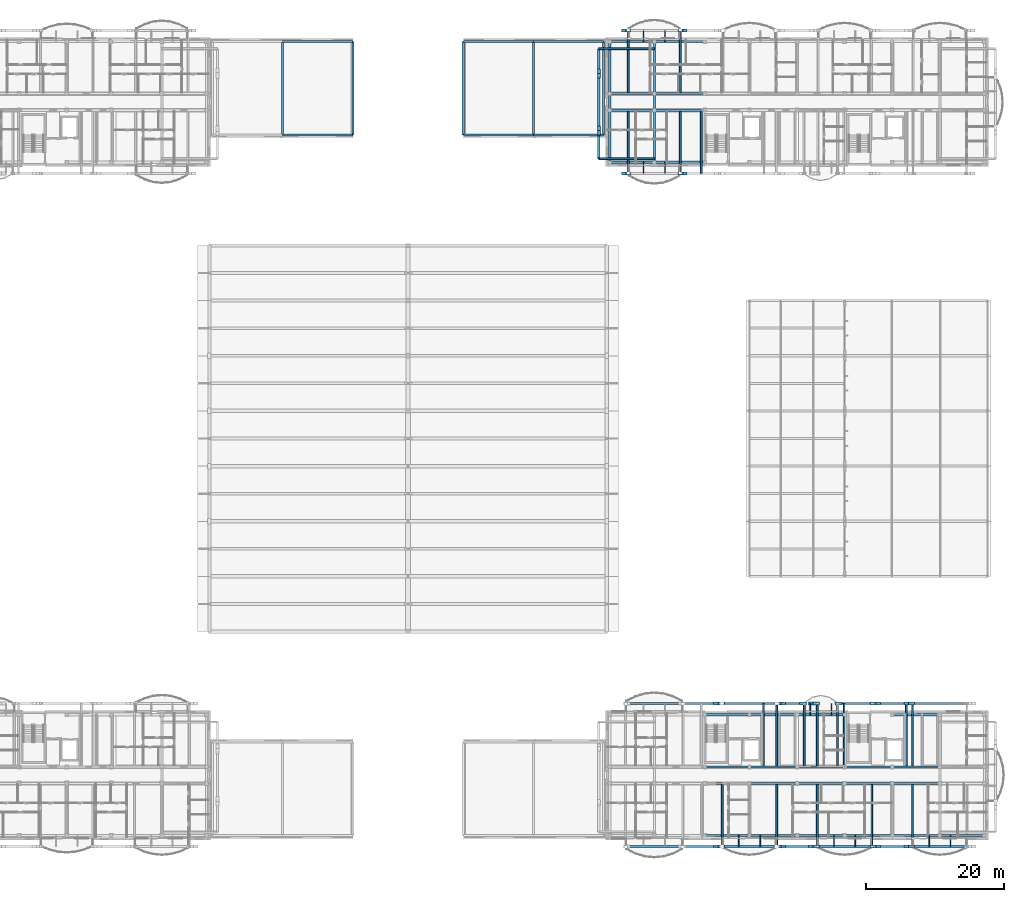
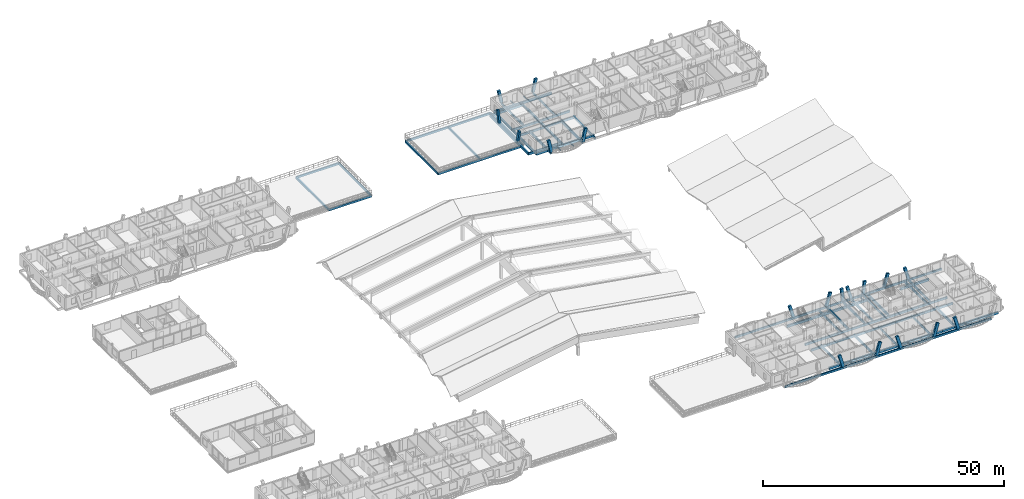
# One storey, part 40 of 109: 80 beams, 18 members.
"""IFC4 building model written with IfcOpenShell, lengths in metres."""

from ifc_helpers import new_model, si_unit, direction, frame, origin, origin_2d, place, context, subcontext, project, spatial, rectangle, i_section, extrude, material, material_profile, profile_set, type_object, element, save


model = new_model("IFC4")

# Units and contexts
model_context = context("Model", 3, precision=1e-05, world=origin(), true_north=direction((0.0, 1.0)))
body_context = subcontext(model_context, "Body", "Model", "MODEL_VIEW")
ifc_project = project(units=[si_unit("LENGTHUNIT", "METRE"), si_unit("AREAUNIT", "SQUARE_METRE"), si_unit("VOLUMEUNIT", "CUBIC_METRE"), si_unit("PLANEANGLEUNIT", "RADIAN"), si_unit("MASSUNIT", "GRAM", prefix="KILO")], contexts=[model_context])

# Site, building, storey
site_placement = place(None, origin())
site = spatial("IfcSite", under=ifc_project, at=site_placement, CompositionType="ELEMENT")
building_placement = place(site_placement, origin())
building = spatial("IfcBuilding", under=site, at=building_placement, Name="Zavelmont Quarter", CompositionType="ELEMENT")
storey_placement = place(building_placement, frame((0.0, 0.0, 8.0)))
storey = spatial("IfcBuildingStorey", under=building, at=storey_placement, Name="L02", CompositionType="ELEMENT", Elevation=8.0)

# Beams
ifc_material_1 = material(Name="Concrete C35/45", Category="concrete")
ifc_material_profile_1 = material_profile(ifc_material_1, rectangle(XDim=0.35009765625, YDim=0.60009765625, at=origin_2d()), Name="RC350X600")
ifc_profile_set_1 = profile_set([ifc_material_profile_1], Name="Concrete C35/45")
beam_type_1 = type_object("IfcBeamType", Name="BM01", PredefinedType="SPANDREL", material=ifc_profile_set_1)
beam_1_placement = place(storey_placement, frame((113.239990234375, 98.0400390625, -0.570068359375), z_axis=(1.0, 0.0, 0.0), x_axis=(0.0, 1.0, 0.0)))
element("IfcBeam", 1, at=beam_1_placement, inside=storey, type_object=beam_type_1, Name="L02 beam BM01 17/P to 18/P", PredefinedType="SPANDREL", context=body_context, shape_type="SweptSolid", body=[
    extrude(rectangle(XDim=0.35009765625, YDim=0.60009765625, at=origin_2d()), origin(), (0.0, 0.0, 1.0), 6.4599609375),
])
beam_2_placement = place(storey_placement, frame((119.699951171875, 98.0400390625, -0.570068359375), z_axis=(1.0, 0.0, 0.0), x_axis=(0.0, 1.0, 0.0)))
element("IfcBeam", 2, at=beam_2_placement, inside=storey, type_object=beam_type_1, Name="L02 beam BM01 18/P to 19/P", PredefinedType="SPANDREL", context=body_context, shape_type="SweptSolid", body=[
    extrude(rectangle(XDim=0.35009765625, YDim=0.60009765625, at=origin_2d()), origin(), (0.0, 0.0, 1.0), 7.340087890625),
])
beam_3_placement = place(storey_placement, frame((113.239990234375, 115.56005859375, -0.570068359375), z_axis=(1.0, 0.0, 0.0), x_axis=(0.0, 1.0, 0.0)))
element("IfcBeam", 3, at=beam_3_placement, inside=storey, type_object=beam_type_1, Name="L02 beam BM01 17/S to 18/S", PredefinedType="SPANDREL", context=body_context, shape_type="SweptSolid", body=[
    extrude(rectangle(XDim=0.35009765625, YDim=0.60009765625, at=origin_2d()), origin(), (0.0, 0.0, 1.0), 6.4599609375),
])
beam_4_placement = place(storey_placement, frame((119.699951171875, 115.56005859375, -0.570068359375), z_axis=(1.0, 0.0, 0.0), x_axis=(0.0, 1.0, 0.0)))
element("IfcBeam", 4, at=beam_4_placement, inside=storey, type_object=beam_type_1, Name="L02 beam BM01 18/S to 19/S", PredefinedType="SPANDREL", context=body_context, shape_type="SweptSolid", body=[
    extrude(rectangle(XDim=0.35009765625, YDim=0.60009765625, at=origin_2d()), origin(), (0.0, 0.0, 1.0), 7.340087890625),
])
beam_5_placement = place(storey_placement, frame((127.0400390625, 0.43994140625, -0.570068359375), z_axis=(1.0, 0.0, 0.0), x_axis=(0.0, 1.0, 0.0)))
element("IfcBeam", 5, at=beam_5_placement, inside=storey, type_object=beam_type_1, Name="L02 beam BM01 19/A to 20/A", PredefinedType="SPANDREL", context=body_context, shape_type="SweptSolid", body=[
    extrude(rectangle(XDim=0.35009765625, YDim=0.60009765625, at=origin_2d()), origin(), (0.0, 0.0, 1.0), 6.4599609375),
])
beam_6_placement = place(storey_placement, frame((133.5, 0.43994140625, -0.570068359375), z_axis=(1.0, 0.0, 0.0), x_axis=(0.0, 1.0, 0.0)))
element("IfcBeam", 6, at=beam_6_placement, inside=storey, type_object=beam_type_1, Name="L02 beam BM01 20/A to 21/A", PredefinedType="SPANDREL", context=body_context, shape_type="SweptSolid", body=[
    extrude(rectangle(XDim=0.35009765625, YDim=0.60009765625, at=origin_2d()), origin(), (0.0, 0.0, 1.0), 6.89990234375),
])
beam_7_placement = place(storey_placement, frame((140.39990234375, 0.43994140625, -0.570068359375), z_axis=(1.0, 0.0, 0.0), x_axis=(0.0, 1.0, 0.0)))
element("IfcBeam", 7, at=beam_7_placement, inside=storey, type_object=beam_type_1, Name="L02 beam BM01 21/A to 22/A", PredefinedType="SPANDREL", context=body_context, shape_type="SweptSolid", body=[
    extrude(rectangle(XDim=0.35009765625, YDim=0.60009765625, at=origin_2d()), origin(), (0.0, 0.0, 1.0), 6.900146484375),
])
beam_8_placement = place(storey_placement, frame((147.300048828125, 0.43994140625, -0.570068359375), z_axis=(1.0, 0.0, 0.0), x_axis=(0.0, 1.0, 0.0)))
element("IfcBeam", 8, at=beam_8_placement, inside=storey, type_object=beam_type_1, Name="L02 beam BM01 22/A to 23/A", PredefinedType="SPANDREL", context=body_context, shape_type="SweptSolid", body=[
    extrude(rectangle(XDim=0.35009765625, YDim=0.60009765625, at=origin_2d()), origin(), (0.0, 0.0, 1.0), 6.89990234375),
])
beam_9_placement = place(storey_placement, frame((154.199951171875, 0.43994140625, -0.570068359375), z_axis=(1.0, 0.0, 0.0), x_axis=(0.0, 1.0, 0.0)))
element("IfcBeam", 9, at=beam_9_placement, inside=storey, type_object=beam_type_1, Name="L02 beam BM01 23/A to 24/A", PredefinedType="SPANDREL", context=body_context, shape_type="SweptSolid", body=[
    extrude(rectangle(XDim=0.35009765625, YDim=0.60009765625, at=origin_2d()), origin(), (0.0, 0.0, 1.0), 6.900146484375),
])
for number, where, z_axis, x_axis, name in (
    (10, (161.10009765625, 0.43994140625, -0.570068359375), (1.0, 0.0, 0.0), (0.0, 1.0, 0.0), "L02 beam BM01 24/A to 25/A"),
    (11, (127.0400390625, 17.9599609375, -0.570068359375), (1.0, 0.0, 0.0), (0.0, 1.0, 0.0), "L02 beam BM01 19/D to 20/D"),
):
    element("IfcBeam", number, at=place(storey_placement, frame(where, z_axis=z_axis, x_axis=x_axis)), inside=storey, type_object=beam_type_1, Name=name, PredefinedType="SPANDREL", context=body_context, shape_type="SweptSolid", body=[
        extrude(rectangle(XDim=0.35009765625, YDim=0.60009765625, at=origin_2d()), origin(), (0.0, 0.0, 1.0), 6.4599609375),
    ])
beam_10_placement = place(storey_placement, frame((133.5, 17.9599609375, -0.570068359375), z_axis=(1.0, 0.0, 0.0), x_axis=(0.0, 1.0, 0.0)))
element("IfcBeam", 12, at=beam_10_placement, inside=storey, type_object=beam_type_1, Name="L02 beam BM01 20/D to 21/D", PredefinedType="SPANDREL", context=body_context, shape_type="SweptSolid", body=[
    extrude(rectangle(XDim=0.35009765625, YDim=0.60009765625, at=origin_2d()), origin(), (0.0, 0.0, 1.0), 6.89990234375),
])
for number, where, z_axis, x_axis, name in (
    (13, (140.39990234375, 17.9599609375, -0.570068359375), (1.0, 0.0, 0.0), (0.0, 1.0, 0.0), "L02 beam BM01 21/D to 22/D"),
    (14, (154.199951171875, 17.9599609375, -0.570068359375), (1.0, 0.0, 0.0), (0.0, 1.0, 0.0), "L02 beam BM01 23/D to 24/D"),
):
    element("IfcBeam", number, at=place(storey_placement, frame(where, z_axis=z_axis, x_axis=x_axis)), inside=storey, type_object=beam_type_1, Name=name, PredefinedType="SPANDREL", context=body_context, shape_type="SweptSolid", body=[
        extrude(rectangle(XDim=0.35009765625, YDim=0.60009765625, at=origin_2d()), origin(), (0.0, 0.0, 1.0), 6.900146484375),
    ])
ifc_material_profile_2 = material_profile(ifc_material_1, rectangle(XDim=0.300048828125, YDim=0.550048828125, at=origin_2d()), Name="RC300X550")
ifc_profile_set_2 = profile_set([ifc_material_profile_2], Name="Concrete C35/45")
beam_type_2 = type_object("IfcBeamType", Name="BM02", PredefinedType="SPANDREL", material=ifc_profile_set_2)
beam_11_placement = place(storey_placement, frame((113.239990234375, 105.60009765625, -0.544921875), z_axis=(1.0, 0.0, 0.0), x_axis=(0.0, 1.0, 0.0)))
element("IfcBeam", 15, at=beam_11_placement, inside=storey, type_object=beam_type_2, Name="L02 beam BM02 17/Q to 18/Q", PredefinedType="SPANDREL", context=body_context, shape_type="SweptSolid", body=[
    extrude(rectangle(XDim=0.300048828125, YDim=0.550048828125, at=origin_2d()), origin(), (0.0, 0.0, 1.0), 6.4599609375),
])
beam_12_placement = place(storey_placement, frame((119.699951171875, 105.60009765625, -0.544921875), z_axis=(1.0, 0.0, 0.0), x_axis=(0.0, 1.0, 0.0)))
element("IfcBeam", 16, at=beam_12_placement, inside=storey, type_object=beam_type_2, Name="L02 beam BM02 18/Q to 19/Q", PredefinedType="SPANDREL", context=body_context, shape_type="SweptSolid", body=[
    extrude(rectangle(XDim=0.300048828125, YDim=0.550048828125, at=origin_2d()), origin(), (0.0, 0.0, 1.0), 7.340087890625),
])
beam_13_placement = place(storey_placement, frame((113.239990234375, 108.0, -0.544921875), z_axis=(1.0, 0.0, 0.0), x_axis=(0.0, 1.0, 0.0)))
element("IfcBeam", 17, at=beam_13_placement, inside=storey, type_object=beam_type_2, Name="L02 beam BM02 17/R to 18/R", PredefinedType="SPANDREL", context=body_context, shape_type="SweptSolid", body=[
    extrude(rectangle(XDim=0.300048828125, YDim=0.550048828125, at=origin_2d()), origin(), (0.0, 0.0, 1.0), 6.4599609375),
])
beam_14_placement = place(storey_placement, frame((119.699951171875, 108.0, -0.544921875), z_axis=(1.0, 0.0, 0.0), x_axis=(0.0, 1.0, 0.0)))
element("IfcBeam", 18, at=beam_14_placement, inside=storey, type_object=beam_type_2, Name="L02 beam BM02 18/R to 19/R", PredefinedType="SPANDREL", context=body_context, shape_type="SweptSolid", body=[
    extrude(rectangle(XDim=0.300048828125, YDim=0.550048828125, at=origin_2d()), origin(), (0.0, 0.0, 1.0), 7.340087890625),
])
beam_15_placement = place(storey_placement, frame((113.239990234375, 98.0400390625, -0.544921875), z_axis=(0.0, 1.0, 0.0), x_axis=(-1.0, 0.0, 0.0)))
element("IfcBeam", 19, at=beam_15_placement, inside=storey, type_object=beam_type_2, Name="L02 beam BM02 17/P to 17/Q", PredefinedType="SPANDREL", context=body_context, shape_type="SweptSolid", body=[
    extrude(rectangle(XDim=0.300048828125, YDim=0.550048828125, at=origin_2d()), origin(), (0.0, 0.0, 1.0), 7.56005859375),
])
beam_16_placement = place(storey_placement, frame((113.239990234375, 105.60009765625, -0.544921875), z_axis=(0.0, 1.0, 0.0), x_axis=(-1.0, 0.0, 0.0)))
element("IfcBeam", 20, at=beam_16_placement, inside=storey, type_object=beam_type_2, Name="L02 beam BM02 17/Q to 17/R", PredefinedType="SPANDREL", context=body_context, shape_type="SweptSolid", body=[
    extrude(rectangle(XDim=0.300048828125, YDim=0.550048828125, at=origin_2d()), origin(), (0.0, 0.0, 1.0), 2.39990234375),
])
for number, where, z_axis, x_axis, name in (
    (21, (113.239990234375, 108.0, -0.544921875), (0.0, 1.0, 0.0), (-1.0, 0.0, 0.0), "L02 beam BM02 17/R to 17/S"),
    (22, (119.699951171875, 98.0400390625, -0.544921875), (0.0, 1.0, 0.0), (-1.0, 0.0, 0.0), "L02 beam BM02 18/P to 18/Q"),
):
    element("IfcBeam", number, at=place(storey_placement, frame(where, z_axis=z_axis, x_axis=x_axis)), inside=storey, type_object=beam_type_2, Name=name, PredefinedType="SPANDREL", context=body_context, shape_type="SweptSolid", body=[
        extrude(rectangle(XDim=0.300048828125, YDim=0.550048828125, at=origin_2d()), origin(), (0.0, 0.0, 1.0), 7.56005859375),
    ])
beam_17_placement = place(storey_placement, frame((119.699951171875, 105.60009765625, -0.544921875), z_axis=(0.0, 1.0, 0.0), x_axis=(-1.0, 0.0, 0.0)))
element("IfcBeam", 23, at=beam_17_placement, inside=storey, type_object=beam_type_2, Name="L02 beam BM02 18/Q to 18/R", PredefinedType="SPANDREL", context=body_context, shape_type="SweptSolid", body=[
    extrude(rectangle(XDim=0.300048828125, YDim=0.550048828125, at=origin_2d()), origin(), (0.0, 0.0, 1.0), 2.39990234375),
])
beam_18_placement = place(storey_placement, frame((119.699951171875, 108.0, -0.544921875), z_axis=(0.0, 1.0, 0.0), x_axis=(-1.0, 0.0, 0.0)))
element("IfcBeam", 24, at=beam_18_placement, inside=storey, type_object=beam_type_2, Name="L02 beam BM02 18/R to 18/S", PredefinedType="SPANDREL", context=body_context, shape_type="SweptSolid", body=[
    extrude(rectangle(XDim=0.300048828125, YDim=0.550048828125, at=origin_2d()), origin(), (0.0, 0.0, 1.0), 7.56005859375),
])
beam_19_placement = place(storey_placement, frame((127.0400390625, 8.0, -0.544921875), z_axis=(1.0, 0.0, 0.0), x_axis=(0.0, 1.0, 0.0)))
element("IfcBeam", 25, at=beam_19_placement, inside=storey, type_object=beam_type_2, Name="L02 beam BM02 19/B to 20/B", PredefinedType="SPANDREL", context=body_context, shape_type="SweptSolid", body=[
    extrude(rectangle(XDim=0.300048828125, YDim=0.550048828125, at=origin_2d()), origin(), (0.0, 0.0, 1.0), 6.4599609375),
])
beam_20_placement = place(storey_placement, frame((133.5, 8.0, -0.544921875), z_axis=(1.0, 0.0, 0.0), x_axis=(0.0, 1.0, 0.0)))
element("IfcBeam", 26, at=beam_20_placement, inside=storey, type_object=beam_type_2, Name="L02 beam BM02 20/B to 21/B", PredefinedType="SPANDREL", context=body_context, shape_type="SweptSolid", body=[
    extrude(rectangle(XDim=0.300048828125, YDim=0.550048828125, at=origin_2d()), origin(), (0.0, 0.0, 1.0), 6.89990234375),
])
beam_21_placement = place(storey_placement, frame((140.39990234375, 8.0, -0.544921875), z_axis=(1.0, 0.0, 0.0), x_axis=(0.0, 1.0, 0.0)))
element("IfcBeam", 27, at=beam_21_placement, inside=storey, type_object=beam_type_2, Name="L02 beam BM02 21/B to 22/B", PredefinedType="SPANDREL", context=body_context, shape_type="SweptSolid", body=[
    extrude(rectangle(XDim=0.300048828125, YDim=0.550048828125, at=origin_2d()), origin(), (0.0, 0.0, 1.0), 6.900146484375),
])
beam_22_placement = place(storey_placement, frame((147.300048828125, 8.0, -0.544921875), z_axis=(1.0, 0.0, 0.0), x_axis=(0.0, 1.0, 0.0)))
element("IfcBeam", 28, at=beam_22_placement, inside=storey, type_object=beam_type_2, Name="L02 beam BM02 22/B to 23/B", PredefinedType="SPANDREL", context=body_context, shape_type="SweptSolid", body=[
    extrude(rectangle(XDim=0.300048828125, YDim=0.550048828125, at=origin_2d()), origin(), (0.0, 0.0, 1.0), 6.89990234375),
])
beam_23_placement = place(storey_placement, frame((154.199951171875, 8.0, -0.544921875), z_axis=(1.0, 0.0, 0.0), x_axis=(0.0, 1.0, 0.0)))
element("IfcBeam", 29, at=beam_23_placement, inside=storey, type_object=beam_type_2, Name="L02 beam BM02 23/B to 24/B", PredefinedType="SPANDREL", context=body_context, shape_type="SweptSolid", body=[
    extrude(rectangle(XDim=0.300048828125, YDim=0.550048828125, at=origin_2d()), origin(), (0.0, 0.0, 1.0), 6.900146484375),
])
beam_24_placement = place(storey_placement, frame((127.0400390625, 10.39990234375, -0.544921875), z_axis=(1.0, 0.0, 0.0), x_axis=(0.0, 1.0, 0.0)))
element("IfcBeam", 30, at=beam_24_placement, inside=storey, type_object=beam_type_2, Name="L02 beam BM02 19/C to 20/C", PredefinedType="SPANDREL", context=body_context, shape_type="SweptSolid", body=[
    extrude(rectangle(XDim=0.300048828125, YDim=0.550048828125, at=origin_2d()), origin(), (0.0, 0.0, 1.0), 6.4599609375),
])
beam_25_placement = place(storey_placement, frame((133.5, 10.39990234375, -0.544921875), z_axis=(1.0, 0.0, 0.0), x_axis=(0.0, 1.0, 0.0)))
element("IfcBeam", 31, at=beam_25_placement, inside=storey, type_object=beam_type_2, Name="L02 beam BM02 20/C to 21/C", PredefinedType="SPANDREL", context=body_context, shape_type="SweptSolid", body=[
    extrude(rectangle(XDim=0.300048828125, YDim=0.550048828125, at=origin_2d()), origin(), (0.0, 0.0, 1.0), 6.89990234375),
])
beam_26_placement = place(storey_placement, frame((140.39990234375, 10.39990234375, -0.544921875), z_axis=(1.0, 0.0, 0.0), x_axis=(0.0, 1.0, 0.0)))
element("IfcBeam", 32, at=beam_26_placement, inside=storey, type_object=beam_type_2, Name="L02 beam BM02 21/C to 22/C", PredefinedType="SPANDREL", context=body_context, shape_type="SweptSolid", body=[
    extrude(rectangle(XDim=0.300048828125, YDim=0.550048828125, at=origin_2d()), origin(), (0.0, 0.0, 1.0), 6.900146484375),
])
beam_27_placement = place(storey_placement, frame((147.300048828125, 10.39990234375, -0.544921875), z_axis=(1.0, 0.0, 0.0), x_axis=(0.0, 1.0, 0.0)))
element("IfcBeam", 33, at=beam_27_placement, inside=storey, type_object=beam_type_2, Name="L02 beam BM02 22/C to 23/C", PredefinedType="SPANDREL", context=body_context, shape_type="SweptSolid", body=[
    extrude(rectangle(XDim=0.300048828125, YDim=0.550048828125, at=origin_2d()), origin(), (0.0, 0.0, 1.0), 6.89990234375),
])
beam_28_placement = place(storey_placement, frame((154.199951171875, 10.39990234375, -0.544921875), z_axis=(1.0, 0.0, 0.0), x_axis=(0.0, 1.0, 0.0)))
element("IfcBeam", 34, at=beam_28_placement, inside=storey, type_object=beam_type_2, Name="L02 beam BM02 23/C to 24/C", PredefinedType="SPANDREL", context=body_context, shape_type="SweptSolid", body=[
    extrude(rectangle(XDim=0.300048828125, YDim=0.550048828125, at=origin_2d()), origin(), (0.0, 0.0, 1.0), 6.900146484375),
])
ifc_material_profile_3 = material_profile(ifc_material_1, rectangle(XDim=0.300048828125, YDim=0.5, at=origin_2d()), Name="RC300X500")
ifc_profile_set_3 = profile_set([ifc_material_profile_3], Name="Concrete C35/45")
beam_type_3 = type_object("IfcBeamType", Name="BM03", PredefinedType="BEAM", material=ifc_profile_set_3)
for number, where, z_axis, x_axis, name in (
    (35, (65.800048828125, 102.0, -0.5400390625), (1.0, 0.0, 0.0), (0.0, 1.0, 0.0), "L02 beam BM03 10/Q to 12/Q"),
    (36, (65.800048828125, 115.56005859375, -0.5400390625), (1.0, 0.0, 0.0), (0.0, 1.0, 0.0), "L02 beam BM03 10/S to 12/S"),
):
    element("IfcBeam", number, at=place(storey_placement, frame(where, z_axis=z_axis, x_axis=x_axis)), inside=storey, type_object=beam_type_3, Name=name, PredefinedType="BEAM", context=body_context, shape_type="SweptSolid", body=[
        extrude(rectangle(XDim=0.300048828125, YDim=0.5, at=origin_2d()), origin(), (0.0, 0.0, 1.0), 10.199951171875),
    ])
for number, where, z_axis, x_axis, name in (
    (37, (65.800048828125, 102.0, -0.5400390625), (0.0, 1.0, 0.0), (-1.0, 0.0, 0.0), "L02 beam BM03 10/Q to 10/S"),
    (38, (76.0, 102.0, -0.5400390625), (0.0, 1.0, 0.0), (-1.0, 0.0, 0.0), "L02 beam BM03 12/Q to 12/S"),
):
    element("IfcBeam", number, at=place(storey_placement, frame(where, z_axis=z_axis, x_axis=x_axis)), inside=storey, type_object=beam_type_3, Name=name, PredefinedType="BEAM", context=body_context, shape_type="SweptSolid", body=[
        extrude(rectangle(XDim=0.300048828125, YDim=0.5, at=origin_2d()), origin(), (0.0, 0.0, 1.0), 13.56005859375),
    ])
beam_29_placement = place(storey_placement, frame((92.0, 102.0, -0.5400390625), z_axis=(1.0, 0.0, 0.0), x_axis=(0.0, 1.0, 0.0)))
element("IfcBeam", 39, at=beam_29_placement, inside=storey, type_object=beam_type_3, Name="L02 beam BM03 14/Q to 16/Q", PredefinedType="BEAM", context=body_context, shape_type="SweptSolid", body=[
    extrude(rectangle(XDim=0.300048828125, YDim=0.5, at=origin_2d()), origin(), (0.0, 0.0, 1.0), 10.199951171875),
])
beam_30_placement = place(storey_placement, frame((102.199951171875, 102.0, -0.5400390625), z_axis=(1.0, 0.0, 0.0), x_axis=(0.0, 1.0, 0.0)))
element("IfcBeam", 40, at=beam_30_placement, inside=storey, type_object=beam_type_3, Name="L02 beam BM03 16/Q to 17/Q", PredefinedType="BEAM", context=body_context, shape_type="SweptSolid", body=[
    extrude(rectangle(XDim=0.300048828125, YDim=0.5, at=origin_2d()), origin(), (0.0, 0.0, 1.0), 10.16015625),
])
beam_31_placement = place(storey_placement, frame((92.0, 115.56005859375, -0.5400390625), z_axis=(1.0, 0.0, 0.0), x_axis=(0.0, 1.0, 0.0)))
element("IfcBeam", 41, at=beam_31_placement, inside=storey, type_object=beam_type_3, Name="L02 beam BM03 14/S to 16/S", PredefinedType="BEAM", context=body_context, shape_type="SweptSolid", body=[
    extrude(rectangle(XDim=0.300048828125, YDim=0.5, at=origin_2d()), origin(), (0.0, 0.0, 1.0), 10.199951171875),
])
beam_32_placement = place(storey_placement, frame((102.199951171875, 115.56005859375, -0.5400390625), z_axis=(1.0, 0.0, 0.0), x_axis=(0.0, 1.0, 0.0)))
element("IfcBeam", 42, at=beam_32_placement, inside=storey, type_object=beam_type_3, Name="L02 beam BM03 16/S to 17/S", PredefinedType="BEAM", context=body_context, shape_type="SweptSolid", body=[
    extrude(rectangle(XDim=0.300048828125, YDim=0.5, at=origin_2d()), origin(), (0.0, 0.0, 1.0), 10.16015625),
])
for number, where, z_axis, x_axis, name in (
    (43, (92.0, 102.0, -0.5400390625), (0.0, 1.0, 0.0), (-1.0, 0.0, 0.0), "L02 beam BM03 14/Q to 14/S"),
    (44, (102.199951171875, 102.0, -0.5400390625), (0.0, 1.0, 0.0), (-1.0, 0.0, 0.0), "L02 beam BM03 16/Q to 16/S"),
    (45, (112.360107421875, 102.0, -0.5400390625), (0.0, 1.0, 0.0), (-1.0, 0.0, 0.0), "L02 beam BM03 17/Q to 17/S"),
):
    element("IfcBeam", number, at=place(storey_placement, frame(where, z_axis=z_axis, x_axis=x_axis)), inside=storey, type_object=beam_type_3, Name=name, PredefinedType="BEAM", context=body_context, shape_type="SweptSolid", body=[
        extrude(rectangle(XDim=0.300048828125, YDim=0.5, at=origin_2d()), origin(), (0.0, 0.0, 1.0), 13.56005859375),
    ])
beam_33_placement = place(storey_placement, frame((111.64990234375, 98.550048828125, -0.25), z_axis=(0.0, 1.0, 0.0), x_axis=(-1.0, 0.0, 0.0)))
element("IfcBeam", 46, at=beam_33_placement, inside=storey, type_object=beam_type_3, Name="L02 beam BM03 17/P to 17/S", PredefinedType="BEAM", context=body_context, shape_type="SweptSolid", body=[
    extrude(rectangle(XDim=0.300048828125, YDim=0.5, at=origin_2d()), origin(), (0.0, 0.0, 1.0), 15.949951171875),
])
for number, where, z_axis, x_axis, name in (
    (47, (115.5380859375, -1.14990234375, -0.25), (1.0, 0.0, 0.0), (0.0, 1.0, 0.0), "L02 beam BM03 17/A to 25/A"),
    (48, (115.5380859375, 19.550048828125, -0.25), (1.0, 0.0, 0.0), (0.0, 1.0, 0.0), "L02 beam BM03 17/D to 25/D"),
):
    element("IfcBeam", number, at=place(storey_placement, frame(where, z_axis=z_axis, x_axis=x_axis)), inside=storey, type_object=beam_type_3, Name=name, PredefinedType="BEAM", context=body_context, shape_type="SweptSolid", body=[
        extrude(rectangle(XDim=0.300048828125, YDim=0.5, at=origin_2d()), origin(), (0.0, 0.0, 1.0), 49.52099609375),
    ])
ifc_material_2 = material(Name="Steel S355", Category="steel")
ifc_material_profile_4 = material_profile(ifc_material_2, i_section(OverallWidth=0.110107421875, OverallDepth=0.219970703125, WebThickness=0.005859375, FlangeThickness=0.00927734375, at=origin_2d()), Name="IPE 220")
ifc_profile_set_4 = profile_set([ifc_material_profile_4], Name="Steel S355")
beam_type_4 = type_object("IfcBeamType", Name="BM15", PredefinedType="JOIST", material=ifc_profile_set_4)
for number, where, z_axis, x_axis, name in (
    (49, (118.14990234375, 115.56005859375, -0.382080078125), (0.0, 1.0, 0.0), (-1.0, 0.0, 0.0), "L02 beam BM15 18/S to 18/S"),
    (50, (121.25, 115.56005859375, -0.382080078125), (0.0, 1.0, 0.0), (-1.0, 0.0, 0.0), "L02 beam BM15 18/S to 18/S"),
):
    element("IfcBeam", number, at=place(storey_placement, frame(where, z_axis=z_axis, x_axis=x_axis)), inside=storey, type_object=beam_type_4, Name=name, PredefinedType="JOIST", context=body_context, shape_type="SweptSolid", body=[
        extrude(i_section(OverallWidth=0.110107421875, OverallDepth=0.219970703125, WebThickness=0.005859375, FlangeThickness=0.00927734375, at=origin_2d()), origin(), (0.0, 0.0, 1.0), 1.58984375),
    ])
for number, where, z_axis, x_axis, name in (
    (51, (118.14990234375, 98.0400390625, -0.382080078125), (0.0, -1.0, 0.0), (1.0, 0.0, 0.0), "L02 beam BM15 18/P to 18/P"),
    (52, (121.25, 98.0400390625, -0.382080078125), (0.0, -1.0, 0.0), (1.0, 0.0, 0.0), "L02 beam BM15 18/P to 18/P"),
):
    element("IfcBeam", number, at=place(storey_placement, frame(where, z_axis=z_axis, x_axis=x_axis)), inside=storey, type_object=beam_type_4, Name=name, PredefinedType="JOIST", context=body_context, shape_type="SweptSolid", body=[
        extrude(i_section(OverallWidth=0.110107421875, OverallDepth=0.219970703125, WebThickness=0.005859375, FlangeThickness=0.00927734375, at=origin_2d()), origin(), (0.0, 0.0, 1.0), 1.590087890625),
    ])
for number, where, z_axis, x_axis, name in (
    (53, (131.949951171875, 0.43994140625, -0.382080078125), (0.0, -1.0, 0.0), (1.0, 0.0, 0.0), "L02 beam BM15 20/A to 20/A"),
    (54, (135.050048828125, 0.43994140625, -0.382080078125), (0.0, -1.0, 0.0), (1.0, 0.0, 0.0), "L02 beam BM15 20/A to 20/A"),
    (55, (145.75, 0.43994140625, -0.382080078125), (0.0, -1.0, 0.0), (1.0, 0.0, 0.0), "L02 beam BM15 22/A to 22/A"),
    (56, (148.85009765625, 0.43994140625, -0.382080078125), (0.0, -1.0, 0.0), (1.0, 0.0, 0.0), "L02 beam BM15 22/A to 22/A"),
    (57, (159.550048828125, 0.43994140625, -0.382080078125), (0.0, -1.0, 0.0), (1.0, 0.0, 0.0), "L02 beam BM15 24/A to 24/A"),
    (58, (162.64990234375, 0.43994140625, -0.382080078125), (0.0, -1.0, 0.0), (1.0, 0.0, 0.0), "L02 beam BM15 24/A to 24/A"),
):
    element("IfcBeam", number, at=place(storey_placement, frame(where, z_axis=z_axis, x_axis=x_axis)), inside=storey, type_object=beam_type_4, Name=name, PredefinedType="JOIST", context=body_context, shape_type="SweptSolid", body=[
        extrude(i_section(OverallWidth=0.110107421875, OverallDepth=0.219970703125, WebThickness=0.005859375, FlangeThickness=0.00927734375, at=origin_2d()), origin(), (0.0, 0.0, 1.0), 1.58984375),
    ])
for number, where, z_axis, x_axis, name in (
    (59, (142.300048828125, 17.9599609375, -0.382080078125), (0.0, 1.0, 0.0), (-1.0, 0.0, 0.0), "L02 beam BM15 21/D to 21/D"),
    (60, (145.39990234375, 17.9599609375, -0.382080078125), (0.0, 1.0, 0.0), (-1.0, 0.0, 0.0), "L02 beam BM15 22/D to 22/D"),
):
    element("IfcBeam", number, at=place(storey_placement, frame(where, z_axis=z_axis, x_axis=x_axis)), inside=storey, type_object=beam_type_4, Name=name, PredefinedType="JOIST", context=body_context, shape_type="SweptSolid", body=[
        extrude(i_section(OverallWidth=0.110107421875, OverallDepth=0.219970703125, WebThickness=0.005859375, FlangeThickness=0.00927734375, at=origin_2d()), origin(), (0.0, 0.0, 1.0), 1.590087890625),
    ])
ifc_material_3 = material(Name="Concrete C40/50", Category="concrete")
ifc_material_profile_5 = material_profile(ifc_material_3, rectangle(XDim=0.25, YDim=0.60009765625, at=origin_2d()), Name="RC250X600")
ifc_profile_set_5 = profile_set([ifc_material_profile_5], Name="Concrete C40/50")
beam_type_5 = type_object("IfcBeamType", Name="BM18", PredefinedType="BEAM", material=ifc_profile_set_5)
for number, where, z_axis, x_axis, name in (
    (61, (115.92578125, 108.0, -0.300048828125), (0.0, 1.0, 0.0), (-1.0, 0.0, 0.0), "L02 beam BM18 17/R to 17/S"),
    (62, (123.47412109375, 108.0, -0.300048828125), (0.0, 1.0, 0.0), (-1.0, 0.0, 0.0), "L02 beam BM18 19/R to 19/S"),
):
    element("IfcBeam", number, at=place(storey_placement, frame(where, z_axis=z_axis, x_axis=x_axis)), inside=storey, type_object=beam_type_5, Name=name, PredefinedType="BEAM", context=body_context, shape_type="SweptSolid", body=[
        extrude(rectangle(XDim=0.25, YDim=0.60009765625, at=origin_2d()), origin(), (0.0, 0.0, 1.0), 9.14990234375),
    ])
for number, where, z_axis, x_axis, name in (
    (63, (115.92578125, 105.60009765625, -0.300048828125), (0.0, -1.0, 0.0), (1.0, 0.0, 0.0), "L02 beam BM18 17/Q to 17/P"),
    (64, (123.47412109375, 105.60009765625, -0.300048828125), (0.0, -1.0, 0.0), (1.0, 0.0, 0.0), "L02 beam BM18 19/Q to 19/P"),
    (65, (126.5, 105.60009765625, -0.300048828125), (0.0, -1.0, 0.0), (1.0, 0.0, 0.0), "L02 beam BM18 19/Q to 19/P"),
):
    element("IfcBeam", number, at=place(storey_placement, frame(where, z_axis=z_axis, x_axis=x_axis)), inside=storey, type_object=beam_type_5, Name=name, PredefinedType="BEAM", context=body_context, shape_type="SweptSolid", body=[
        extrude(rectangle(XDim=0.25, YDim=0.60009765625, at=origin_2d()), origin(), (0.0, 0.0, 1.0), 9.150146484375),
    ])
for number, where, z_axis, x_axis, name in (
    (66, (119.699951171875, 98.550048828125, -0.300048828125), (-1.0, 0.0, 0.0), (0.0, -1.0, 0.0), "L02 beam BM18 18/P to 17/P"),
    (67, (119.699951171875, 114.5, -0.300048828125), (-1.0, 0.0, 0.0), (0.0, -1.0, 0.0), "L02 beam BM18 18/S to 17/S"),
):
    element("IfcBeam", number, at=place(storey_placement, frame(where, z_axis=z_axis, x_axis=x_axis)), inside=storey, type_object=beam_type_5, Name=name, PredefinedType="BEAM", context=body_context, shape_type="SweptSolid", body=[
        extrude(rectangle(XDim=0.25, YDim=0.60009765625, at=origin_2d()), origin(), (0.0, 0.0, 1.0), 8.050048828125),
    ])
for number, where, z_axis, x_axis, name in (
    (68, (129.54150390625, 8.0, -0.300048828125), (0.0, -1.0, 0.0), (1.0, 0.0, 0.0), "L02 beam BM18 19/B to 19/A"),
    (69, (137.45849609375, 8.0, -0.300048828125), (0.0, -1.0, 0.0), (1.0, 0.0, 0.0), "L02 beam BM18 21/B to 21/A"),
    (70, (143.341552734375, 8.0, -0.300048828125), (0.0, -1.0, 0.0), (1.0, 0.0, 0.0), "L02 beam BM18 21/B to 21/A"),
    (71, (151.258544921875, 8.0, -0.300048828125), (0.0, -1.0, 0.0), (1.0, 0.0, 0.0), "L02 beam BM18 23/B to 23/A"),
    (72, (157.1416015625, 8.0, -0.300048828125), (0.0, -1.0, 0.0), (1.0, 0.0, 0.0), "L02 beam BM18 23/B to 23/A"),
):
    element("IfcBeam", number, at=place(storey_placement, frame(where, z_axis=z_axis, x_axis=x_axis)), inside=storey, type_object=beam_type_5, Name=name, PredefinedType="BEAM", context=body_context, shape_type="SweptSolid", body=[
        extrude(rectangle(XDim=0.25, YDim=0.60009765625, at=origin_2d()), origin(), (0.0, 0.0, 1.0), 9.14990234375),
    ])
for number, where, z_axis, x_axis, name in (
    (73, (135.52490234375, 10.39990234375, -0.300048828125), (0.0, 1.0, 0.0), (-1.0, 0.0, 0.0), "L02 beam BM18 20/C to 20/D"),
    (74, (137.45849609375, 10.39990234375, -0.300048828125), (0.0, 1.0, 0.0), (-1.0, 0.0, 0.0), "L02 beam BM18 21/C to 21/D"),
    (75, (143.341552734375, 10.39990234375, -0.300048828125), (0.0, 1.0, 0.0), (-1.0, 0.0, 0.0), "L02 beam BM18 21/C to 21/D"),
    (76, (147.199951171875, 10.39990234375, -0.300048828125), (0.0, 1.0, 0.0), (-1.0, 0.0, 0.0), "L02 beam BM18 22/C to 22/D"),
    (77, (156.22509765625, 10.39990234375, -0.300048828125), (0.0, 1.0, 0.0), (-1.0, 0.0, 0.0), "L02 beam BM18 23/C to 23/D"),
    (78, (157.1416015625, 10.39990234375, -0.300048828125), (0.0, 1.0, 0.0), (-1.0, 0.0, 0.0), "L02 beam BM18 23/C to 23/D"),
    (79, (141.4462890625, 10.39990234375, -0.300048828125), (0.0, 1.0, 0.0), (-1.0, 0.0, 0.0), "L02 beam BM18 21/C to 21/D"),
    (80, (146.25390625, 10.39990234375, -0.300048828125), (0.0, 1.0, 0.0), (-1.0, 0.0, 0.0), "L02 beam BM18 22/C to 22/D"),
):
    element("IfcBeam", number, at=place(storey_placement, frame(where, z_axis=z_axis, x_axis=x_axis)), inside=storey, type_object=beam_type_5, Name=name, PredefinedType="BEAM", context=body_context, shape_type="SweptSolid", body=[
        extrude(rectangle(XDim=0.25, YDim=0.60009765625, at=origin_2d()), origin(), (0.0, 0.0, 1.0), 9.150146484375),
    ])

# Members
ifc_material_4 = material(Name="White architectural precast concrete C40/50", Category="concrete")
ifc_material_profile_6 = material_profile(ifc_material_4, rectangle(XDim=0.43994140625, YDim=0.659912109375, at=origin_2d()), Name="PCR320X480")
ifc_profile_set_6 = profile_set([ifc_material_profile_6], Name="White architectural precast concrete C40/50")
member_type = type_object("IfcMemberType", Name="VR01M", PredefinedType="CHORD", material=ifc_profile_set_6)
for number, where, z_axis, x_axis, name in (
    (81, (115.92578125, 117.14990234375, 0.0), (-0.207484729813, 0.0, 0.978238256712), (0.0, -1.0, 0.0), "L02 member VR01M 17/S to 17/S"),
    (82, (123.47412109375, 117.14990234375, 0.0), (0.207484729813, 0.0, 0.978238256712), (0.0, 1.0, 0.0), "L02 member VR01M 19/S to 19/S"),
    (83, (115.92578125, 96.449951171875, 0.0), (-0.207484729813, 0.0, 0.978238256712), (0.0, -1.0, 0.0), "L02 member VR01M 17/P to 17/P"),
    (84, (123.47412109375, 96.449951171875, 0.0), (0.207484729813, 0.0, 0.978238256712), (0.0, 1.0, 0.0), "L02 member VR01M 19/P to 19/P"),
    (85, (111.64990234375, 103.02587890625, 0.0), (0.0, -0.207484729813, 0.978238256712), (1.0, 0.0, 0.0), "L02 member VR01M 17/Q to 17/Q"),
    (86, (111.64990234375, 110.57421875, 0.0), (0.0, 0.207484729813, 0.978238256712), (-1.0, 0.0, 0.0), "L02 member VR01M 17/R to 17/R"),
):
    element("IfcMember", number, at=place(storey_placement, frame(where, z_axis=z_axis, x_axis=x_axis)), inside=storey, type_object=member_type, Name=name, PredefinedType="CHORD", context=body_context, shape_type="SweptSolid", body=[
        extrude(rectangle(XDim=0.43994140625, YDim=0.659912109375, at=origin_2d()), origin(), (0.0, 0.0, 1.0), 3.271240234375),
    ])
for number, where, z_axis, x_axis, name in (
    (87, (129.54150390625, -1.14990234375, 0.0), (-0.280143430311, 0.0, 0.959958154533), (0.0, -1.0, 0.0), "L02 member VR01M 19/A to 19/A"),
    (88, (137.45849609375, -1.14990234375, 0.0), (0.280143430311, 0.0, 0.959958154533), (0.0, 1.0, 0.0), "L02 member VR01M 21/A to 21/A"),
    (89, (143.341552734375, -1.14990234375, 0.0), (-0.280143430311, 0.0, 0.959958154533), (0.0, -1.0, 0.0), "L02 member VR01M 21/A to 21/A"),
    (90, (151.258544921875, -1.14990234375, 0.0), (0.280143430311, 0.0, 0.959958154533), (0.0, 1.0, 0.0), "L02 member VR01M 23/A to 23/A"),
    (91, (157.1416015625, -1.14990234375, 0.0), (-0.280143430311, 0.0, 0.959958154533), (0.0, -1.0, 0.0), "L02 member VR01M 23/A to 23/A"),
    (92, (129.54150390625, 19.550048828125, 0.0), (-0.280143430311, 0.0, 0.959958154533), (0.0, -1.0, 0.0), "L02 member VR01M 19/D to 19/D"),
    (93, (137.45849609375, 19.550048828125, 0.0), (0.280143430311, 0.0, 0.959958154533), (0.0, 1.0, 0.0), "L02 member VR01M 21/D to 21/D"),
    (94, (143.341552734375, 19.550048828125, 0.0), (-0.280143430311, 0.0, 0.959958154533), (0.0, -1.0, 0.0), "L02 member VR01M 21/D to 21/D"),
    (95, (151.258544921875, 19.550048828125, 0.0), (0.280143430311, 0.0, 0.959958154533), (0.0, 1.0, 0.0), "L02 member VR01M 23/D to 23/D"),
    (96, (157.1416015625, 19.550048828125, 0.0), (-0.280143430311, 0.0, 0.959958154533), (0.0, -1.0, 0.0), "L02 member VR01M 23/D to 23/D"),
):
    element("IfcMember", number, at=place(storey_placement, frame(where, z_axis=z_axis, x_axis=x_axis)), inside=storey, type_object=member_type, Name=name, PredefinedType="CHORD", context=body_context, shape_type="SweptSolid", body=[
        extrude(rectangle(XDim=0.43994140625, YDim=0.659912109375, at=origin_2d()), origin(), (0.0, 0.0, 1.0), 3.33349609375),
    ])
for number, where, z_axis, x_axis, name in (
    (97, (141.4462890625, 19.550048828125, 0.0), (-0.113999777668, 0.0, 0.9934807752), (0.0, -1.0, 0.0), "L02 member VR01M 21/D to 21/D"),
    (98, (146.25390625, 19.550048828125, 0.0), (0.113924964038, 0.0, 0.993489357049), (0.0, 1.0, 0.0), "L02 member VR01M 22/D to 22/D"),
):
    element("IfcMember", number, at=place(storey_placement, frame(where, z_axis=z_axis, x_axis=x_axis)), inside=storey, type_object=member_type, Name=name, PredefinedType="CHORD", context=body_context, shape_type="SweptSolid", body=[
        extrude(rectangle(XDim=0.43994140625, YDim=0.659912109375, at=origin_2d()), origin(), (0.0, 0.0, 1.0), 3.220947265625),
    ])

save(model, "model.ifc")
